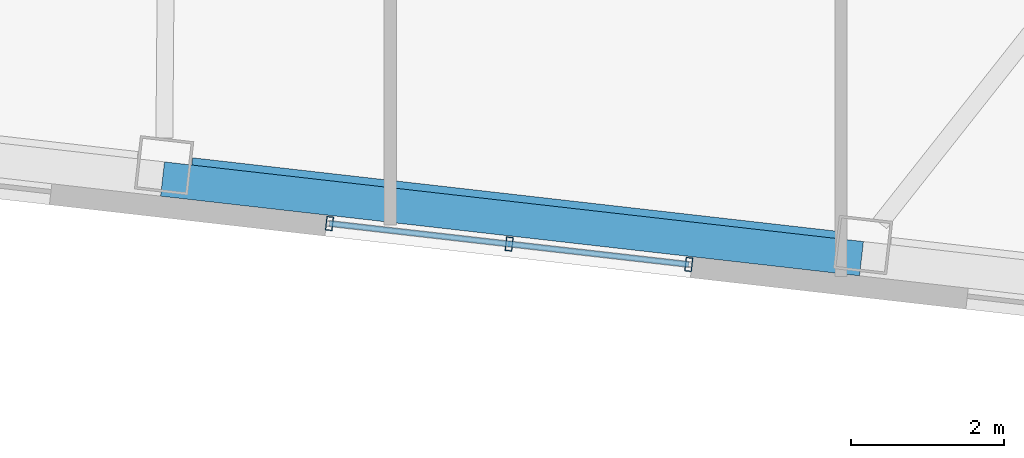
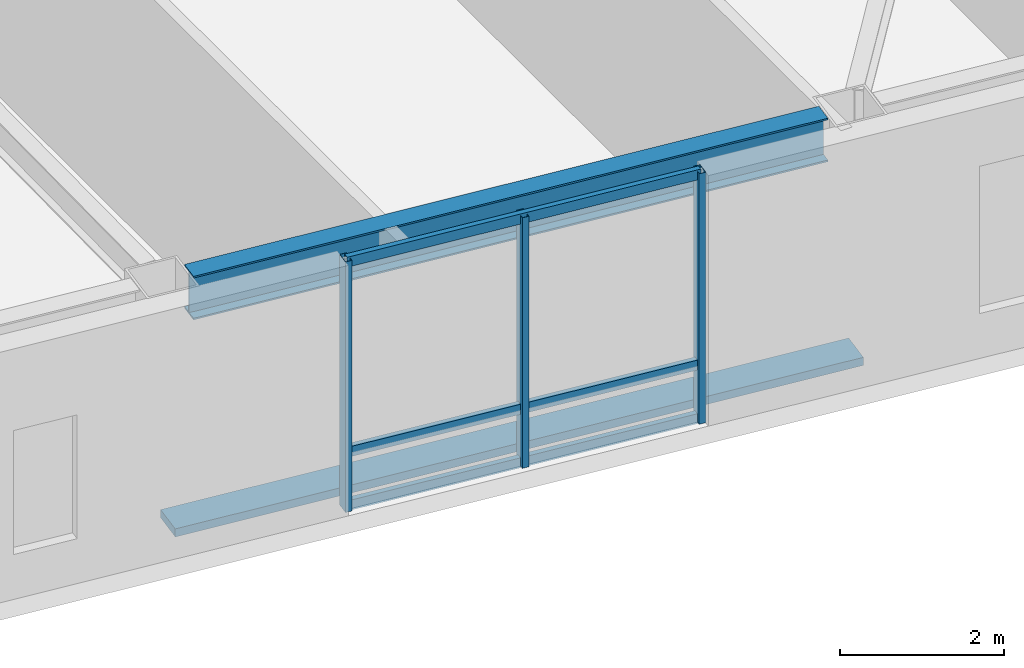
# One storey, part 4 of 21: 7 members, 1 beam, 1 element without a shape of its own.
"""IFC4 building model written with IfcOpenShell, lengths in metres."""

from ifc_helpers import new_model, si_unit, direction, frame, origin, origin_2d, place, context, subcontext, project, spatial, rectangle, hollow_rectangle, i_section, extrude, material, layer, layer_set, material_profile, profile_set, type_object, element, aggregate, save


model = new_model("IFC4")

# Units and contexts
model_context = context("Model", 3, precision=1e-05, world=origin(), true_north=direction((0.0, 1.0)))
body_context = subcontext(model_context, "Body", "Model", "MODEL_VIEW")
ifc_project = project(units=[si_unit("LENGTHUNIT", "METRE"), si_unit("AREAUNIT", "SQUARE_METRE"), si_unit("VOLUMEUNIT", "CUBIC_METRE"), si_unit("PLANEANGLEUNIT", "RADIAN"), si_unit("MASSUNIT", "GRAM", prefix="KILO")], contexts=[model_context])

# Site, building, storey
site_placement = place(None, origin())
site = spatial("IfcSite", under=ifc_project, at=site_placement, CompositionType="ELEMENT")
building_placement = place(site_placement, origin())
building = spatial("IfcBuilding", under=site, at=building_placement, Name="Tavrogorsk Clinical Tower", CompositionType="ELEMENT")
storey_placement = place(building_placement, frame((0.0, 0.0, 129.39990234375)))
storey = spatial("IfcBuildingStorey", under=building, at=storey_placement, Name="L29", CompositionType="ELEMENT", Elevation=129.39990234375)

# Member
ifc_material_1 = material(Name="Anodised aluminium alloy AW-6063", Category="aluminium")
ifc_material_profile_1 = material_profile(ifc_material_1, rectangle(XDim=0.449951171875, YDim=0.1201171875, at=origin_2d()), Name="ALU-SUNSHADE-450x120")
ifc_profile_set_1 = profile_set([ifc_material_profile_1], Name="Anodised aluminium alloy AW-6063")
member_type_1 = type_object("IfcMemberType", Name="ChicagoSunshade_450x120", PredefinedType="USERDEFINED", material=ifc_profile_set_1)
member_1_placement = place(storey_placement, frame((4.208251953125, -26.463134765625, 0.18017578125), z_axis=(0.993569662511, -0.113222461274, 0.0), x_axis=(0.113222461274, 0.993569662511, 0.0)))
element("IfcMember", 1, at=member_1_placement, inside=storey, type_object=member_type_1, Name="L29 South Aluminium Sunshade S5", ObjectType="SUNSHADE", PredefinedType="USERDEFINED", context=body_context, shape_type="SweptSolid", body=[
    extrude(rectangle(XDim=0.449951171875, YDim=0.1201171875, at=origin_2d()), origin(), (0.0, 0.0, 1.0), 9.17724609375),
])

# Curtain wall, members
ifc_material_2 = material(Name="Anodised aluminium and triple IGU glazing", Category="aluminium")
ifc_layer = layer(ifc_material_2, 0.179931640625)
ifc_layer_set = layer_set([ifc_layer], Name="Anodised aluminium and triple IGU glazing")
curtain_wall_type = type_object("IfcCurtainWallType", Name="CW3_SouthSlot", PredefinedType="NOTDEFINED", material=ifc_layer_set)
curtain_wall_placement = place(storey_placement, origin())
curtain_wall = element("IfcCurtainWall", 2, at=curtain_wall_placement, inside=storey, type_object=curtain_wall_type, Name="L29 Curtain Wall CW-L29-S-SLOT-2", PredefinedType="NOTDEFINED")
ifc_material_3 = material(Name="Anodised aluminium alloy AW-6060", Category="aluminium")
ifc_material_profile_2 = material_profile(ifc_material_3, hollow_rectangle(XDim=0.090087890625, YDim=0.179931640625, WallThickness=0.00634765625, at=origin_2d()), Name="RHS-180x90x6.3")
ifc_profile_set_2 = profile_set([ifc_material_profile_2], Name="Anodised aluminium alloy AW-6060")
member_type_2 = type_object("IfcMemberType", Name="CwMullion_180x90", PredefinedType="MULLION", material=ifc_profile_set_2)
member_2_placement = place(storey_placement, frame((6.38623046875, -27.04345703125, 0.0), z_axis=(0.0, 0.0, 1.0), x_axis=(0.993571858269, -0.113203191016, 0.0)))
member_2 = element("IfcMember", 3, at=member_2_placement, type_object=member_type_2, Name="CW-L29-S-SLOT-2 Mullion 1", PredefinedType="MULLION", context=body_context, shape_type="SweptSolid", body=[
    extrude(hollow_rectangle(XDim=0.090087890625, YDim=0.179931640625, WallThickness=0.00634765625, at=origin_2d()), origin(), (0.0, 0.0, 1.0), 3.739990234375),
])
member_3_placement = place(storey_placement, frame((8.72998046875, -27.310546875, 0.0), z_axis=(0.0, 0.0, 1.0), x_axis=(0.993571858269, -0.113203191016, 0.0)))
member_3 = element("IfcMember", 4, at=member_3_placement, type_object=member_type_2, Name="CW-L29-S-SLOT-2 Mullion 2", PredefinedType="MULLION", context=body_context, shape_type="SweptSolid", body=[
    extrude(hollow_rectangle(XDim=0.090087890625, YDim=0.179931640625, WallThickness=0.00634765625, at=origin_2d()), origin(), (0.0, 0.0, 1.0), 3.739990234375),
])
member_4_placement = place(storey_placement, frame((11.07373046875, -27.57763671875, 0.0), z_axis=(0.0, 0.0, 1.0), x_axis=(0.993571858269, -0.113203191016, 0.0)))
member_4 = element("IfcMember", 5, at=member_4_placement, type_object=member_type_2, Name="CW-L29-S-SLOT-2 Mullion 3", PredefinedType="MULLION", context=body_context, shape_type="SweptSolid", body=[
    extrude(hollow_rectangle(XDim=0.090087890625, YDim=0.179931640625, WallThickness=0.00634765625, at=origin_2d()), origin(), (0.0, 0.0, 1.0), 3.739990234375),
])
ifc_material_4 = material(Name="Anodised aluminium alloy AW-6060", Category="aluminium")
ifc_material_profile_3 = material_profile(ifc_material_4, hollow_rectangle(XDim=0.074951171875, YDim=0.14990234375, WallThickness=0.0048828125, at=origin_2d()), Name="RHS-150x75x5")
ifc_profile_set_3 = profile_set([ifc_material_profile_3], Name="Anodised aluminium alloy AW-6060")
member_type_3 = type_object("IfcMemberType", Name="CwTransom_150x75", PredefinedType="USERDEFINED", material=ifc_profile_set_3)
member_5_placement = place(storey_placement, frame((6.38623046875, -27.04345703125, 0.050048828125), z_axis=(0.993569315854, -0.113225503286, 0.0), x_axis=(0.113225503286, 0.993569315854, 0.0)))
member_5 = element("IfcMember", 6, at=member_5_placement, type_object=member_type_3, Name="CW-L29-S-SLOT-2 Transom 1", ObjectType="TRANSOM", PredefinedType="USERDEFINED", context=body_context, shape_type="SweptSolid", body=[
    extrude(hollow_rectangle(XDim=0.074951171875, YDim=0.14990234375, WallThickness=0.0048828125, at=origin_2d()), origin(), (0.0, 0.0, 1.0), 4.7177734375),
])
member_6_placement = place(storey_placement, frame((6.38623046875, -27.04345703125, 0.85009765625), z_axis=(0.993569315854, -0.113225503286, 0.0), x_axis=(0.113225503286, 0.993569315854, 0.0)))
member_6 = element("IfcMember", 7, at=member_6_placement, type_object=member_type_3, Name="CW-L29-S-SLOT-2 Transom 2", ObjectType="TRANSOM", PredefinedType="USERDEFINED", context=body_context, shape_type="SweptSolid", body=[
    extrude(hollow_rectangle(XDim=0.074951171875, YDim=0.14990234375, WallThickness=0.0048828125, at=origin_2d()), origin(), (0.0, 0.0, 1.0), 4.7177734375),
])
member_7_placement = place(storey_placement, frame((6.38623046875, -27.04345703125, 3.690185546875), z_axis=(0.993569315854, -0.113225503286, 0.0), x_axis=(0.113225503286, 0.993569315854, 0.0)))
member_7 = element("IfcMember", 8, at=member_7_placement, type_object=member_type_3, Name="CW-L29-S-SLOT-2 Transom 3", ObjectType="TRANSOM", PredefinedType="USERDEFINED", context=body_context, shape_type="SweptSolid", body=[
    extrude(hollow_rectangle(XDim=0.074951171875, YDim=0.14990234375, WallThickness=0.0048828125, at=origin_2d()), origin(), (0.0, 0.0, 1.0), 4.7177734375),
])
aggregate(curtain_wall, [member_2, member_3, member_4, member_5, member_6, member_7])

# Beam
ifc_material_5 = material(Name="Structural steel S390", Category="steel")
ifc_material_profile_4 = material_profile(ifc_material_5, i_section(OverallWidth=0.280029296875, OverallDepth=0.64990234375, WebThickness=0.01611328125, FlangeThickness=0.02490234375, at=origin_2d()), Name="B-650x280x16x25")
ifc_profile_set_4 = profile_set([ifc_material_profile_4], Name="Structural steel S390")
beam_type = type_object("IfcBeamType", Name="SpandrelBeam_B650", PredefinedType="SPANDREL", material=ifc_profile_set_4)
beam_placement = place(storey_placement, frame((4.584228515625, -26.324951171875, 3.4150390625), z_axis=(0.99357306506, -0.113192598642, 0.0), x_axis=(0.113192598642, 0.99357306506, 0.0)))
element("IfcBeam", 9, at=beam_placement, inside=storey, type_object=beam_type, Name="L29 Perimeter Spandrel S5-S6", PredefinedType="SPANDREL", context=body_context, shape_type="SweptSolid", body=[
    extrude(i_section(OverallWidth=0.280029296875, OverallDepth=0.64990234375, WebThickness=0.01611328125, FlangeThickness=0.02490234375, at=origin_2d()), origin(), (0.0, 0.0, 1.0), 8.46142578125),
])

save(model, "model.ifc")
